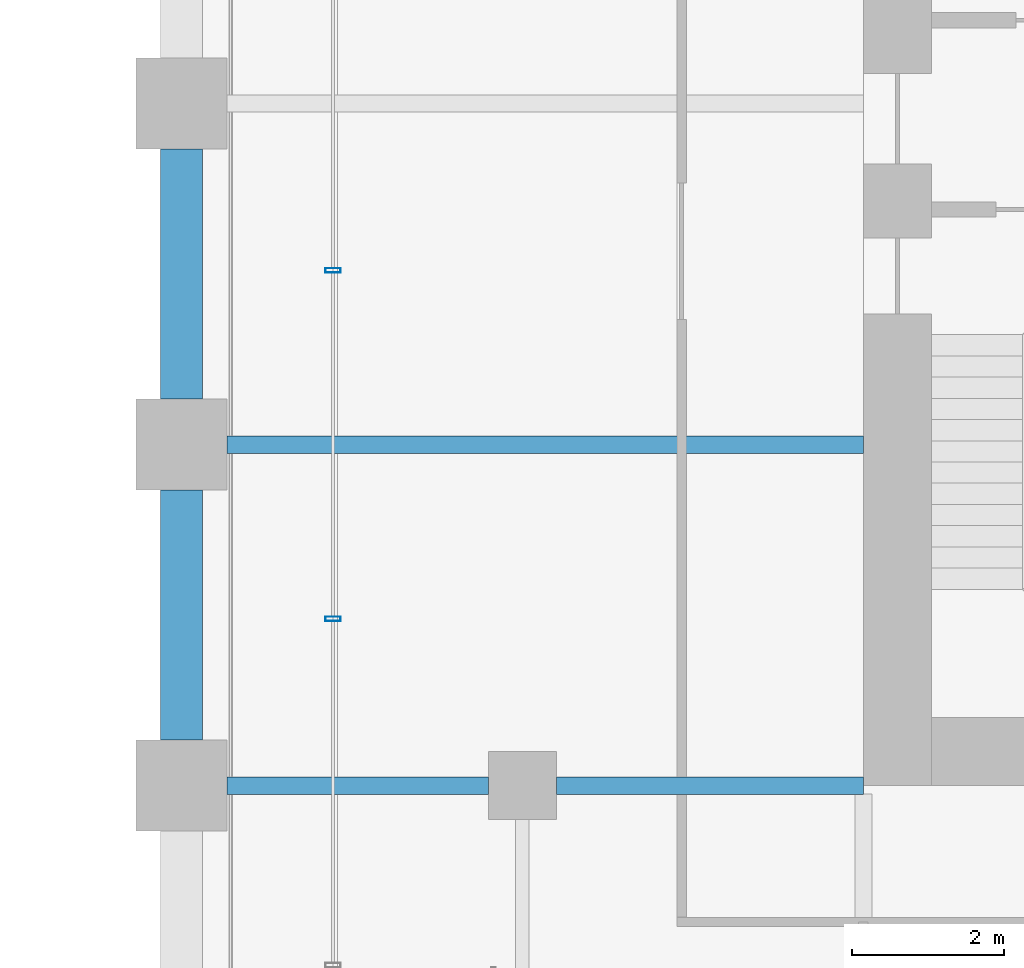
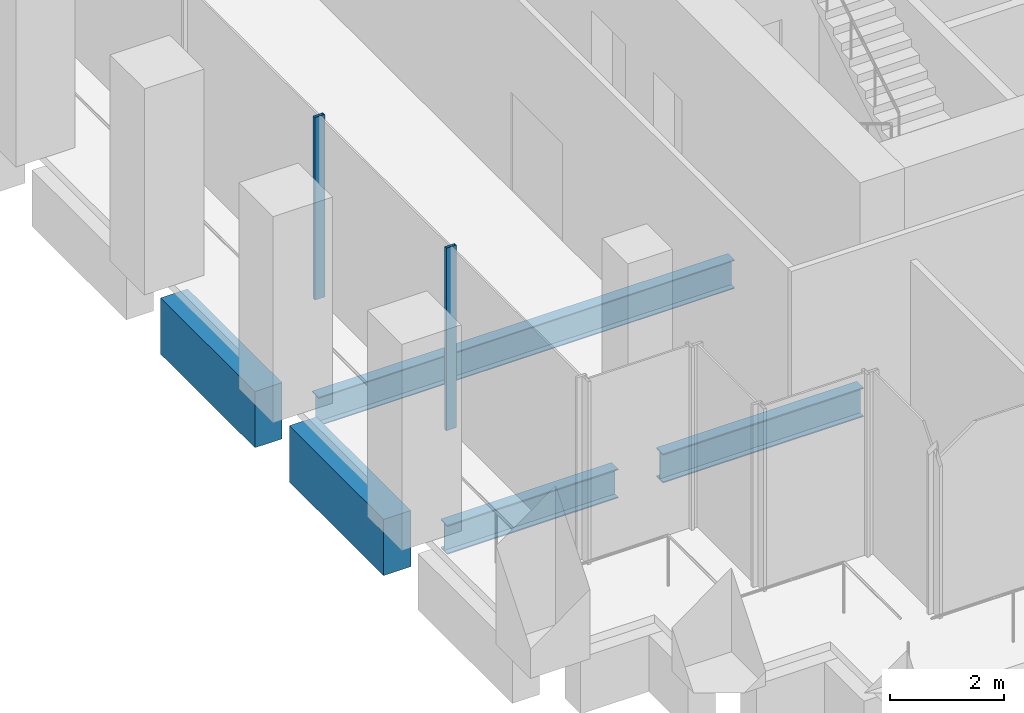
# One storey, part 20 of 36: 5 beams, 2 members, 1 element without a shape of its own.
"""IFC4 building model written with IfcOpenShell, lengths in metres."""

from ifc_helpers import new_model, si_unit, direction, frame, origin, origin_2d, place, context, subcontext, project, spatial, rectangle, hollow_rectangle, i_section, extrude, material, material_profile, profile_set, type_object, element, aggregate, save


model = new_model("IFC4")

# Units and contexts
model_context = context("Model", 3, precision=1e-05, world=origin(), true_north=direction((0.0, 1.0)))
body_context = subcontext(model_context, "Body", "Model", "MODEL_VIEW")
ifc_project = project(units=[si_unit("LENGTHUNIT", "METRE"), si_unit("AREAUNIT", "SQUARE_METRE"), si_unit("VOLUMEUNIT", "CUBIC_METRE"), si_unit("PLANEANGLEUNIT", "RADIAN"), si_unit("MASSUNIT", "GRAM", prefix="KILO")], contexts=[model_context])

# Site, building, storey
site_placement = place(None, origin())
site = spatial("IfcSite", under=ifc_project, at=site_placement, CompositionType="ELEMENT")
building_placement = place(site_placement, origin())
building = spatial("IfcBuilding", under=site, at=building_placement, Name="Altepetl Exchange Towers", CompositionType="ELEMENT")
storey_placement = place(building_placement, frame((0.0, 0.0, 29.800048828125)))
storey = spatial("IfcBuildingStorey", under=building, at=storey_placement, Name="L06", CompositionType="ELEMENT", Elevation=29.800048828125)

# Beams
ifc_material_1 = material(Name="Steel S355", Category="steel")
ifc_material_profile_1 = material_profile(ifc_material_1, i_section(OverallWidth=0.22900390625, OverallDepth=0.612060546875, WebThickness=0.011962890625, FlangeThickness=0.01953125, at=origin_2d()), Name="W24X84")
ifc_profile_set_1 = profile_set([ifc_material_profile_1], Name="Steel S355")
beam_type_1 = type_object("IfcBeamType", Name="Floor beam W24X84", PredefinedType="BEAM", material=ifc_profile_set_1)
beam_1_placement = place(storey_placement, frame((95.10009765625, 40.5, -0.48095703125), z_axis=(1.0, 0.0, 0.0), x_axis=(0.0, 1.0, 0.0)))
element("IfcBeam", 1, at=beam_1_placement, inside=storey, type_object=beam_type_1, Name="bm:B:L06:012", PredefinedType="BEAM", context=body_context, shape_type="SweptSolid", body=[
    extrude(i_section(OverallWidth=0.22900390625, OverallDepth=0.612060546875, WebThickness=0.011962890625, FlangeThickness=0.01953125, at=origin_2d()), origin(), (0.0, 0.0, 1.0), 8.39990234375),
])
ifc_material_profile_2 = material_profile(ifc_material_1, i_section(OverallWidth=0.22900390625, OverallDepth=0.623046875, WebThickness=0.013916015625, FlangeThickness=0.02490234375, at=origin_2d()), Name="W24X103")
ifc_profile_set_2 = profile_set([ifc_material_profile_2], Name="Steel S355")
beam_type_2 = type_object("IfcBeamType", Name="Girder W24X103", PredefinedType="BEAM", material=ifc_profile_set_2)
beam_2_placement = place(storey_placement, frame((103.5, 36.0, -0.486572265625), z_axis=(-1.0, 0.0, 0.0), x_axis=(0.0, -1.0, 0.0)))
element("IfcBeam", 2, at=beam_2_placement, inside=storey, type_object=beam_type_2, Name="gd:B:L06:006", PredefinedType="BEAM", context=body_context, shape_type="SweptSolid", body=[
    extrude(i_section(OverallWidth=0.22900390625, OverallDepth=0.623046875, WebThickness=0.013916015625, FlangeThickness=0.02490234375, at=origin_2d()), origin(), (0.0, 0.0, 1.0), 4.050048828125),
])
beam_3_placement = place(storey_placement, frame((98.550048828125, 36.0, -0.486572265625), z_axis=(-1.0, 0.0, 0.0), x_axis=(0.0, -1.0, 0.0)))
element("IfcBeam", 3, at=beam_3_placement, inside=storey, type_object=beam_type_2, Name="gd:B:L06:007", PredefinedType="BEAM", context=body_context, shape_type="SweptSolid", body=[
    extrude(i_section(OverallWidth=0.22900390625, OverallDepth=0.623046875, WebThickness=0.013916015625, FlangeThickness=0.02490234375, at=origin_2d()), origin(), (0.0, 0.0, 1.0), 3.449951171875),
])

# Curtain wall, members
ifc_material_2 = material(Name="Aluminium 6063-T6 glazing", Category="aluminium")
curtain_wall_type = type_object("IfcCurtainWallType", Name="Trading floor glazing system", PredefinedType="NOTDEFINED", material=ifc_material_2)
curtain_wall_placement = place(storey_placement, origin())
curtain_wall = element("IfcCurtainWall", 4, at=curtain_wall_placement, inside=storey, type_object=curtain_wall_type, Name="CW2 run", PredefinedType="NOTDEFINED")
ifc_material_3 = material(Name="Aluminium 6063-T6", Category="aluminium")
ifc_material_profile_3 = material_profile(ifc_material_3, hollow_rectangle(XDim=0.06005859375, YDim=0.199951171875, WallThickness=0.0029296875, at=origin_2d()), Name="Mullion 60x200 aluminium")
ifc_profile_set_3 = profile_set([ifc_material_profile_3], Name="Aluminium 6063-T6")
member_type = type_object("IfcMemberType", Name="Mullion 60x200 aluminium", PredefinedType="MULLION", material=ifc_profile_set_3)
member_1_placement = place(storey_placement, frame((96.5, 42.800048828125, 0.0), z_axis=(0.0, 0.0, 1.0), x_axis=(0.0, -1.0, 0.0)))
member_1 = element("IfcMember", 5, at=member_1_placement, type_object=member_type, Name="MU2 mullion", PredefinedType="MULLION", context=body_context, shape_type="SweptSolid", body=[
    extrude(hollow_rectangle(XDim=0.06005859375, YDim=0.199951171875, WallThickness=0.0029296875, at=origin_2d()), origin(), (0.0, 0.0, 1.0), 3.89990234375),
])
member_2_placement = place(storey_placement, frame((96.5, 38.199951171875, 0.0), z_axis=(0.0, 0.0, 1.0), x_axis=(0.0, -1.0, 0.0)))
member_2 = element("IfcMember", 6, at=member_2_placement, type_object=member_type, Name="MU2 mullion", PredefinedType="MULLION", context=body_context, shape_type="SweptSolid", body=[
    extrude(hollow_rectangle(XDim=0.06005859375, YDim=0.199951171875, WallThickness=0.0029296875, at=origin_2d()), origin(), (0.0, 0.0, 1.0), 3.89990234375),
])
aggregate(curtain_wall, [member_1, member_2])

# Beams
ifc_material_4 = material(Name="Concrete C50/60 precast with cantera rosa facing", Category="concrete")
ifc_material_profile_4 = material_profile(ifc_material_4, rectangle(XDim=0.550048828125, YDim=1.199951171875, at=origin_2d()), Name="550 x 1200")
ifc_profile_set_4 = profile_set([ifc_material_profile_4], Name="Concrete C50/60 precast with cantera rosa facing")
beam_type_3 = type_object("IfcBeamType", Name="Spandrel beam 550x1200 cantera rosa", PredefinedType="SPANDREL", material=ifc_profile_set_4)
for number, where, z_axis, x_axis, name in (
    (7, (94.5, 44.39990234375, -0.775146484375), (0.0, -1.0, 0.0), (1.0, 0.0, 0.0), "sp:B:L06:029"),
    (8, (94.5, 39.89990234375, -0.775146484375), (0.0, -1.0, 0.0), (1.0, 0.0, 0.0), "sp:B:L06:030"),
):
    element("IfcBeam", number, at=place(storey_placement, frame(where, z_axis=z_axis, x_axis=x_axis)), inside=storey, type_object=beam_type_3, Name=name, PredefinedType="SPANDREL", context=body_context, shape_type="SweptSolid", body=[
        extrude(rectangle(XDim=0.550048828125, YDim=1.199951171875, at=origin_2d()), origin(), (0.0, 0.0, 1.0), 3.2998046875),
    ])

save(model, "model.ifc")
